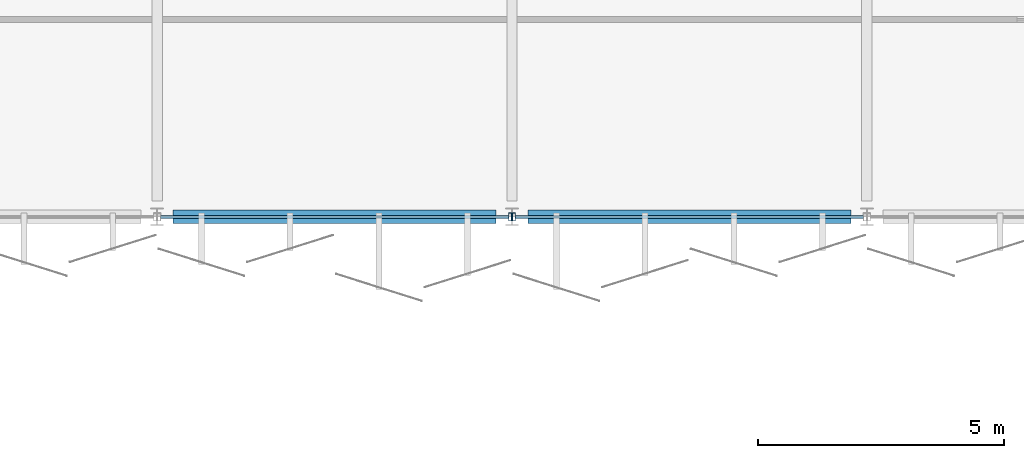
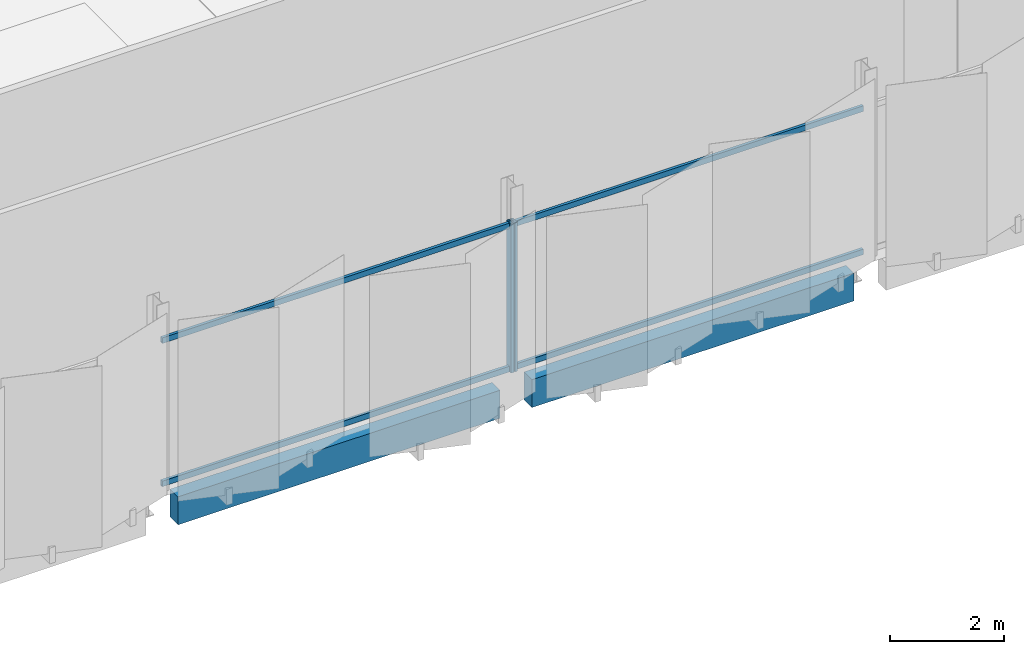
# One storey, part 28 of 91: 6 members, 2 beams, 2 elements without a shape of their own.
"""IFC4 building model written with IfcOpenShell, lengths in metres."""

from ifc_helpers import new_model, si_unit, direction, frame, origin, origin_2d, place, context, subcontext, project, spatial, rectangle, hollow_rectangle, extrude, material, layer, layer_set, material_profile, profile_set, type_object, element, aggregate, save


model = new_model("IFC4")

# Units and contexts
model_context = context("Model", 3, precision=1e-05, world=origin(), true_north=direction((0.0, 1.0)))
body_context = subcontext(model_context, "Body", "Model", "MODEL_VIEW")
ifc_project = project(units=[si_unit("LENGTHUNIT", "METRE"), si_unit("AREAUNIT", "SQUARE_METRE"), si_unit("VOLUMEUNIT", "CUBIC_METRE"), si_unit("PLANEANGLEUNIT", "RADIAN"), si_unit("MASSUNIT", "GRAM", prefix="KILO")], contexts=[model_context])

# Site, building, storey
site_placement = place(None, origin())
site = spatial("IfcSite", under=ifc_project, at=site_placement, CompositionType="ELEMENT")
building_placement = place(site_placement, origin())
building = spatial("IfcBuilding", under=site, at=building_placement, Name="Kangsadwip Square Police Headquarters", CompositionType="ELEMENT")
storey_placement = place(building_placement, frame((0.0, 0.0, 13.5)))
storey = spatial("IfcBuildingStorey", under=building, at=storey_placement, Name="L03", CompositionType="ELEMENT", Elevation=13.5)

# Curtain wall, member
ifc_material_1 = material(Name="Thermally broken anodised aluminium AW-6063-T6", Category="aluminium")
ifc_layer = layer(ifc_material_1, 0.159912109375)
ifc_layer_set = layer_set([ifc_layer], Name="Thermally broken anodised aluminium AW-6063-T6")
curtain_wall_type = type_object("IfcCurtainWallType", Name="CourtScreen7180x3200", PredefinedType="USERDEFINED", material=ifc_layer_set)
curtain_wall_1_placement = place(storey_placement, origin())
curtain_wall_1 = element("IfcCurtainWall", 1, at=curtain_wall_1_placement, inside=storey, type_object=curtain_wall_type, Name="Curtain Wall CW-L03-1080-0936", ObjectType="GLAZED_SCREEN", PredefinedType="USERDEFINED")
ifc_material_2 = material(Name="Thermally broken anodised aluminium AW-6063-T6", Category="aluminium")
ifc_material_profile_1 = material_profile(ifc_material_2, hollow_rectangle(XDim=0.06005859375, YDim=0.159912109375, WallThickness=0.00390625, at=origin_2d()), Name="CWM 160X60X4")
ifc_profile_set_1 = profile_set([ifc_material_profile_1], Name="Thermally broken anodised aluminium AW-6063-T6")
member_type_1 = type_object("IfcMemberType", Name="CwMullion135x60", PredefinedType="MULLION", material=ifc_profile_set_1)
member_1_placement = place(storey_placement, frame((115.159912109375, 93.60009765625, 0.0), z_axis=(0.0, 0.0, 1.0), x_axis=(1.0, 0.0, 0.0)))
member_1 = element("IfcMember", 2, at=member_1_placement, type_object=member_type_1, Name="CW-17 mullion 2", PredefinedType="MULLION", context=body_context, shape_type="SweptSolid", body=[
    extrude(hollow_rectangle(XDim=0.06005859375, YDim=0.159912109375, WallThickness=0.00390625, at=origin_2d()), origin(), (0.0, 0.0, 1.0), 3.199951171875),
])

curtain_wall_2_placement = place(storey_placement, origin())
curtain_wall_2 = element("IfcCurtainWall", 3, at=curtain_wall_2_placement, inside=storey, type_object=curtain_wall_type, Name="Curtain Wall CW-L03-1152-0936", ObjectType="GLAZED_SCREEN", PredefinedType="USERDEFINED")
member_2_placement = place(storey_placement, frame((115.239990234375, 93.60009765625, 0.0), z_axis=(0.0, 0.0, 1.0), x_axis=(1.0, 0.0, 0.0)))
member_2 = element("IfcMember", 4, at=member_2_placement, type_object=member_type_1, Name="CW-17 mullion 1", PredefinedType="MULLION", context=body_context, shape_type="SweptSolid", body=[
    extrude(hollow_rectangle(XDim=0.06005859375, YDim=0.159912109375, WallThickness=0.00390625, at=origin_2d()), origin(), (0.0, 0.0, 1.0), 3.199951171875),
])

# Member
ifc_material_3 = material(Name="Thermally broken anodised aluminium AW-6063-T6", Category="aluminium")
ifc_material_profile_2 = material_profile(ifc_material_3, hollow_rectangle(XDim=0.06005859375, YDim=0.1201171875, WallThickness=0.00390625, at=origin_2d()), Name="CWT 120X60X4")
ifc_profile_set_2 = profile_set([ifc_material_profile_2], Name="Thermally broken anodised aluminium AW-6063-T6")
member_type_2 = type_object("IfcMemberType", Name="CwTransom120x55", PredefinedType="USERDEFINED", material=ifc_profile_set_2)
member_3_placement = place(storey_placement, frame((108.070068359375, 93.60009765625, 0.06005859375), z_axis=(1.0, 0.0, 0.0), x_axis=(0.0, 1.0, 0.0)))
member_3 = element("IfcMember", 5, at=member_3_placement, type_object=member_type_2, Name="CW-17 transom 1.1", ObjectType="TRANSOM", PredefinedType="USERDEFINED", context=body_context, shape_type="SweptSolid", body=[
    extrude(hollow_rectangle(XDim=0.06005859375, YDim=0.1201171875, WallThickness=0.00390625, at=origin_2d()), origin(), (0.0, 0.0, 1.0), 7.059814453125),
])

member_4_placement = place(storey_placement, frame((108.070068359375, 93.60009765625, 3.139892578125), z_axis=(1.0, 0.0, 0.0), x_axis=(0.0, 1.0, 0.0)))
member_4 = element("IfcMember", 6, at=member_4_placement, type_object=member_type_2, Name="CW-17 transom 1.2", ObjectType="TRANSOM", PredefinedType="USERDEFINED", context=body_context, shape_type="SweptSolid", body=[
    extrude(hollow_rectangle(XDim=0.06005859375, YDim=0.1201171875, WallThickness=0.00390625, at=origin_2d()), origin(), (0.0, 0.0, 1.0), 7.059814453125),
])

aggregate(curtain_wall_1, [member_1, member_3, member_4])

member_5_placement = place(storey_placement, frame((115.27001953125, 93.60009765625, 0.06005859375), z_axis=(1.0, 0.0, 0.0), x_axis=(0.0, 1.0, 0.0)))
member_5 = element("IfcMember", 7, at=member_5_placement, type_object=member_type_2, Name="CW-17 transom 1.1", ObjectType="TRANSOM", PredefinedType="USERDEFINED", context=body_context, shape_type="SweptSolid", body=[
    extrude(hollow_rectangle(XDim=0.06005859375, YDim=0.1201171875, WallThickness=0.00390625, at=origin_2d()), origin(), (0.0, 0.0, 1.0), 7.06005859375),
])

member_6_placement = place(storey_placement, frame((115.27001953125, 93.60009765625, 3.139892578125), z_axis=(1.0, 0.0, 0.0), x_axis=(0.0, 1.0, 0.0)))
member_6 = element("IfcMember", 8, at=member_6_placement, type_object=member_type_2, Name="CW-17 transom 1.2", ObjectType="TRANSOM", PredefinedType="USERDEFINED", context=body_context, shape_type="SweptSolid", body=[
    extrude(hollow_rectangle(XDim=0.06005859375, YDim=0.1201171875, WallThickness=0.00390625, at=origin_2d()), origin(), (0.0, 0.0, 1.0), 7.06005859375),
])

aggregate(curtain_wall_2, [member_2, member_5, member_6])

# Beams
ifc_material_4 = material(Name="Concrete M40 (40 MPa)", Category="concrete")
ifc_material_profile_3 = material_profile(ifc_material_4, rectangle(XDim=0.280029296875, YDim=0.60009765625, at=origin_2d()), Name="RC SPN 600X280")
ifc_profile_set_3 = profile_set([ifc_material_profile_3], Name="Concrete M40 (40 MPa)")
beam_type = type_object("IfcBeamType", Name="RcSpandrel600x280", PredefinedType="SPANDREL", material=ifc_profile_set_3)
for number, where, z_axis, x_axis, name in (
    (9, (108.324951171875, 93.60009765625, -0.5400390625), (1.0, 0.0, 0.0), (0.0, 1.0, 0.0), "Beam BM-L03-X-15-13"),
    (10, (115.52490234375, 93.60009765625, -0.5400390625), (1.0, 0.0, 0.0), (0.0, 1.0, 0.0), "Beam BM-L03-X-16-13"),
):
    element("IfcBeam", number, at=place(storey_placement, frame(where, z_axis=z_axis, x_axis=x_axis)), inside=storey, type_object=beam_type, Name=name, PredefinedType="SPANDREL", context=body_context, shape_type="SweptSolid", body=[
        extrude(rectangle(XDim=0.280029296875, YDim=0.60009765625, at=origin_2d()), origin(), (0.0, 0.0, 1.0), 6.550048828125),
    ])

save(model, "model.ifc")
